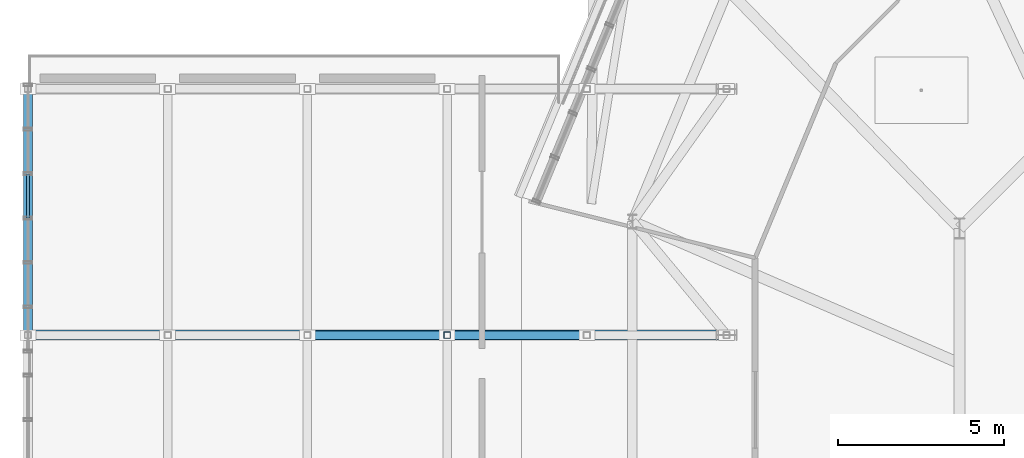
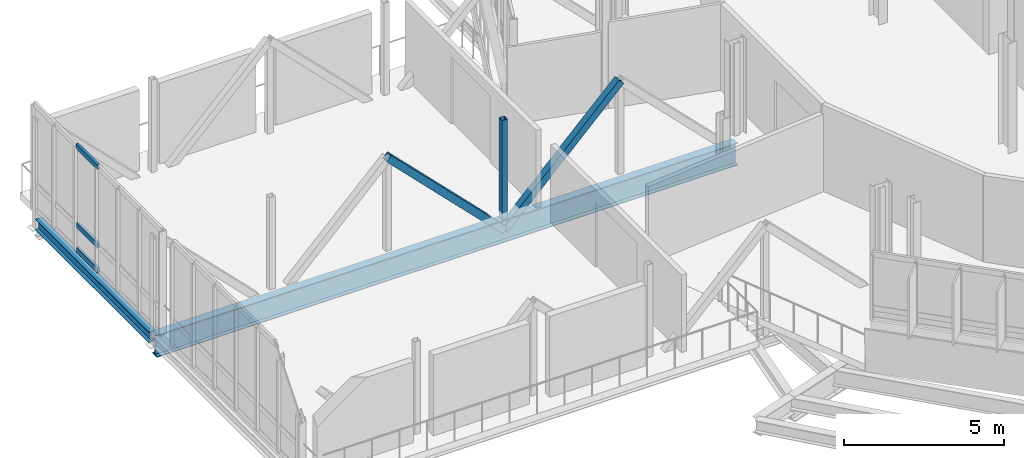
# One storey, part 40 of 107: 6 members, 2 beams, 1 element without a shape of its own.
"""IFC4 building model written with IfcOpenShell, lengths in metres."""

import ifcopenshell
import ifcopenshell.guid

model = None  # the IFC model being written
_history = None  # IfcOwnerHistory: only IFC2X3 demands one
_inside = {}  # id of a spatial element -> (the spatial element, [elements in it])
_under = {}  # id of a project, library or spatial element -> (it, [spatial elements below it])
_declared = {}  # id of a project -> (the project, [libraries it declares])
_typed = {}  # id of a type object -> (the type object, [elements of that type])
_made_of = {}  # id of a material, layer set ... -> (it, [elements and type objects made of it])


def new_model(schema):
    """Start an empty IFC model of exactly this schema.

    Asked for "IFC4X3", IfcOpenShell would pick the latest addendum, in which some entities
    have other attributes; the version numbers below select the first issue.
    IFC2X3 requires an IfcOwnerHistory on every rooted entity: one is made here for all.
    """
    global model, _history
    if schema == "IFC4X3":
        model = ifcopenshell.file(schema_version=(4, 3, 0, 0))
    else:
        model = ifcopenshell.file(schema=schema)
    _inside.clear()
    _under.clear()
    _declared.clear()
    _typed.clear()
    _made_of.clear()
    _history = None
    if model.schema == "IFC2X3":
        org = make("IfcOrganization", Name="unknown")
        user = make(
            "IfcPersonAndOrganization",
            ThePerson=make("IfcPerson", FamilyName="unknown"),
            TheOrganization=org,
        )
        app = make(
            "IfcApplication",
            ApplicationDeveloper=org,
            Version="unknown",
            ApplicationFullName="unknown",
            ApplicationIdentifier="unknown",
        )
        _history = make(
            "IfcOwnerHistory",
            OwningUser=user,
            OwningApplication=app,
            ChangeAction="ADDED",
            CreationDate=0,
        )
    return model


def make(cls, **values):
    """One entity of the class cls with the attributes given. An attribute that is None is left unset."""
    return model.create_entity(
        cls, **{name: value for name, value in values.items() if value is not None}
    )


def rooted(cls, **values):
    """An entity with a GlobalId (a new one), such as an element, a storey or a relation."""
    return make(cls, GlobalId=ifcopenshell.guid.new(), OwnerHistory=_history, **values)


def si_unit(unit_type, name, prefix=None):
    """IfcSIUnit, for example si_unit("LENGTHUNIT", "METRE", prefix="MILLI")."""
    return make("IfcSIUnit", UnitType=unit_type, Prefix=prefix, Name=name)


def derived_unit(unit_type, elements):
    """IfcDerivedUnit: a product of units, each with its exponent."""
    return make(
        "IfcDerivedUnit",
        Elements=[
            make("IfcDerivedUnitElement", Unit=unit, Exponent=power)
            for unit, power in elements
        ],
        UnitType=unit_type,
    )


def assignment(units):
    """IfcUnitAssignment: the units of a project."""
    return None if units is None else make("IfcUnitAssignment", Units=units)


def point(xyz):
    """IfcCartesianPoint."""
    return None if xyz is None else make("IfcCartesianPoint", Coordinates=xyz)


def direction(xyz):
    """IfcDirection."""
    return None if xyz is None else make("IfcDirection", DirectionRatios=xyz)


def frame(location, z_axis=None, x_axis=None):
    """IfcAxis2Placement3D, a coordinate frame: its origin and axes. An axis left out is left unset."""
    return make(
        "IfcAxis2Placement3D",
        Location=point(location),
        Axis=direction(z_axis),
        RefDirection=direction(x_axis),
    )


def frame_2d(location, x_axis=None):
    """IfcAxis2Placement2D, a coordinate frame in the plane: its origin and x axis."""
    return make(
        "IfcAxis2Placement2D", Location=point(location), RefDirection=direction(x_axis)
    )


def origin():
    """The frame at (0, 0, 0) with its axes left unset."""
    return frame((0.0, 0.0, 0.0))


def origin_2d():
    """The frame at (0, 0) in the plane with its x axis left unset."""
    return frame_2d((0.0, 0.0))


def place(relative_to, where):
    """IfcLocalPlacement: puts the frame where relative to a parent placement (None: the world)."""
    return make(
        "IfcLocalPlacement", PlacementRelTo=relative_to, RelativePlacement=where
    )


def context(
    kind, dimensions, precision=None, world=None, true_north=None, identifier=None
):
    """IfcGeometricRepresentationContext, for example the 3D "Model" context."""
    return make(
        "IfcGeometricRepresentationContext",
        ContextIdentifier=identifier,
        ContextType=kind,
        CoordinateSpaceDimension=dimensions,
        Precision=precision,
        WorldCoordinateSystem=world,
        TrueNorth=true_north,
    )


def subcontext(parent, identifier, kind, view, scale=None):
    """IfcGeometricRepresentationSubContext, for example "Body" below "Model"."""
    return make(
        "IfcGeometricRepresentationSubContext",
        ContextIdentifier=identifier,
        ContextType=kind,
        ParentContext=parent,
        TargetScale=scale,
        TargetView=view,
    )


def project(units=None, contexts=None):
    """IfcProject with its units and contexts."""
    return rooted(
        "IfcProject",
        Name="project",
        RepresentationContexts=contexts,
        UnitsInContext=assignment(units),
    )


def spatial(cls, under=None, at=None, **own):
    """A site, building, storey or space (cls), placed at a placement, below another one or the project."""
    s = rooted(cls, ObjectPlacement=at, **own)
    if under is not None:
        _under.setdefault(under.id(), (under, []))[1].append(s)
    return s


def profile(cls, at=None, kind="AREA", **sizes):
    """A parametric profile (cls). Its sizes go by their IFC names, for example OverallWidth=200.0."""
    return make(cls, ProfileType=kind, Position=at, **sizes)


def hollow_rectangle(**sizes):
    """IfcRectangleHollowProfileDef."""
    return profile("IfcRectangleHollowProfileDef", **sizes)


def i_section(**sizes):
    """IfcIShapeProfileDef."""
    return profile("IfcIShapeProfileDef", **sizes)


def extrude(swept, where, along, depth):
    """IfcExtrudedAreaSolid: the profile swept, set in the frame where, extruded along a direction by depth."""
    return make(
        "IfcExtrudedAreaSolid",
        SweptArea=swept,
        Position=where,
        ExtrudedDirection=direction(along),
        Depth=depth,
    )


def shape(context_of_items, identifier, shape_type, items):
    """IfcShapeRepresentation: the items that make up one representation, for example the "Body"."""
    return make(
        "IfcShapeRepresentation",
        ContextOfItems=context_of_items,
        RepresentationIdentifier=identifier,
        RepresentationType=shape_type,
        Items=items,
    )


def material(Name=None, Category=None):
    """IfcMaterial."""
    return make("IfcMaterial", Name=Name, Category=Category)


def layer(
    of_material, thickness, ventilated=None, Name=None, Category=None, Priority=None
):
    """IfcMaterialLayer: one layer of a wall or slab, of a material (None: an air gap)."""
    return make(
        "IfcMaterialLayer",
        Material=of_material,
        LayerThickness=thickness,
        IsVentilated=ventilated,
        Name=Name,
        Category=Category,
        Priority=Priority,
    )


def layer_set(layers, Name=None):
    """IfcMaterialLayerSet."""
    return make("IfcMaterialLayerSet", MaterialLayers=layers, LayerSetName=Name)


def material_profile(
    of_material, cross_section, Name=None, Category=None, Priority=None
):
    """IfcMaterialProfile: a cross section and its material."""
    return make(
        "IfcMaterialProfile",
        Name=Name,
        Material=of_material,
        Profile=cross_section,
        Priority=Priority,
        Category=Category,
    )


def profile_set(profiles, Name=None, composite=None):
    """IfcMaterialProfileSet."""
    return make(
        "IfcMaterialProfileSet",
        Name=Name,
        MaterialProfiles=profiles,
        CompositeProfile=composite,
    )


def made_of(thing, what):
    """Note that an element or type object is made of a material, layer set ...; save() writes the relation."""
    if what is not None:
        _made_of.setdefault(what.id(), (what, []))[1].append(thing)
    return thing


def type_object(cls, material=None, **own):
    """A type object (cls), such as IfcWallType, which elements share."""
    return made_of(rooted(cls, **own), material)


def element(
    cls,
    number,
    at=None,
    inside=None,
    cuts=None,
    type_object=None,
    material=None,
    context=None,
    identifier="Body",
    shape_type=None,
    held_by="IfcProductDefinitionShape",
    body=None,
    shapes=None,
    **own,
):
    """One element of the class cls, such as IfcWall. Its Tag is "e" and its number.

    at: its placement. inside: the storey or other place that contains it. cuts: it is an
    opening in that element (IfcRelVoidsElement). A single representation is given by context,
    identifier, shape_type and body (its items); several are given by shapes. held_by: the class
    of the entity that holds the representations. save() writes the other relations.
    """
    e = rooted(cls, Tag="e%d" % number, ObjectPlacement=at, **own)
    if body is not None:
        shapes = [shape(context, identifier, shape_type, body)]
    if shapes is not None:
        e.Representation = make(held_by, Representations=shapes)
    if inside is not None:
        _inside.setdefault(inside.id(), (inside, []))[1].append(e)
    if cuts is not None:
        rooted(
            "IfcRelVoidsElement", RelatingBuildingElement=cuts, RelatedOpeningElement=e
        )
    if type_object is not None:
        _typed.setdefault(type_object.id(), (type_object, []))[1].append(e)
    return made_of(e, material)


def aggregate(whole, parts):
    """IfcRelAggregates: a whole, such as a stair, and the parts it consists of."""
    return rooted("IfcRelAggregates", RelatingObject=whole, RelatedObjects=parts)


def save(model, path):
    """Write the relations noted so far, then the file.

    IfcRelAggregates (storeys below a building ...), IfcRelContainedInSpatialStructure (elements
    in a storey), IfcRelDefinesByType, IfcRelAssociatesMaterial and IfcRelDeclares: one each for
    every whole, place, type object, material and project.
    """
    for whole, parts in _under.values():
        aggregate(whole, parts)
    for where, things in _inside.values():
        rooted(
            "IfcRelContainedInSpatialStructure",
            RelatedElements=things,
            RelatingStructure=where,
        )
    for kind, things in _typed.values():
        rooted("IfcRelDefinesByType", RelatedObjects=things, RelatingType=kind)
    for what, things in _made_of.values():
        rooted("IfcRelAssociatesMaterial", RelatedObjects=things, RelatingMaterial=what)
    for by, libraries in _declared.values():
        rooted("IfcRelDeclares", RelatingContext=by, RelatedDefinitions=libraries)
    model.write(path)


model = new_model("IFC4")

# Units and contexts
model_context = context("Model", 3, precision=1e-05, world=origin(), true_north=direction((0.0, 1.0)))
body_context = subcontext(model_context, "Body", "Model", "MODEL_VIEW")
ifc_project = project(units=[si_unit("LENGTHUNIT", "METRE"), si_unit("AREAUNIT", "SQUARE_METRE"), si_unit("VOLUMEUNIT", "CUBIC_METRE"), si_unit("PLANEANGLEUNIT", "RADIAN"), si_unit("MASSUNIT", "GRAM", prefix="KILO"), derived_unit("THERMALTRANSMITTANCEUNIT", [(si_unit("MASSUNIT", "GRAM", prefix="KILO"), 1), (si_unit("TIMEUNIT", "SECOND"), -3), (si_unit("THERMODYNAMICTEMPERATUREUNIT", "KELVIN"), -1)])], contexts=[model_context])

# Site, building, storey
site_placement = place(None, origin())
site = spatial("IfcSite", under=ifc_project, at=site_placement, CompositionType="ELEMENT")
building_placement = place(site_placement, origin())
building = spatial("IfcBuilding", under=site, at=building_placement, Name="Makaiwela Harbour Ferry Terminal", CompositionType="ELEMENT")
storey_placement = place(building_placement, frame((0.0, 0.0, 9.60009765625)))
storey = spatial("IfcBuildingStorey", under=building, at=storey_placement, Name="L02", CompositionType="ELEMENT", Elevation=9.60009765625)

# Curtain wall, members
ifc_material_1 = material(Name="Marine anodised aluminium 6063-T6", Category="aluminium")
ifc_layer = layer(ifc_material_1, 0.199951171875)
ifc_layer_set = layer_set([ifc_layer], Name="Marine anodised aluminium 6063-T6")
curtain_wall_type = type_object("IfcCurtainWallType", Name="ENV-CW-23", PredefinedType="USERDEFINED", material=ifc_layer_set)
curtain_wall_placement = place(storey_placement, origin())
curtain_wall = element("IfcCurtainWall", 1, at=curtain_wall_placement, inside=storey, type_object=curtain_wall_type, Name="Unitised Curtain Wall CWA-139", ObjectType="UNITIZED CURTAIN WALL", PredefinedType="USERDEFINED")
ifc_material_profile_1 = material_profile(ifc_material_1, hollow_rectangle(XDim=0.0849609375, YDim=0.199951171875, WallThickness=0.0048828125, at=origin_2d()), Name="CWT-200X85")
ifc_profile_set_1 = profile_set([ifc_material_profile_1], Name="Marine anodised aluminium 6063-T6")
member_type_1 = type_object("IfcMemberType", Name="CW-TRN-200", PredefinedType="USERDEFINED", material=ifc_profile_set_1)
member_1_placement = place(storey_placement, frame((0.0, 71.965087890625, 0.0), z_axis=(0.0, 1.0, 0.0), x_axis=(-1.0, 0.0, 0.0)))
member_1 = element("IfcMember", 2, at=member_1_placement, type_object=member_type_1, Name="Curtain Wall Transom CWA-139-4-1", ObjectType="TRANSOM", PredefinedType="USERDEFINED", context=body_context, shape_type="SweptSolid", body=[
    extrude(hollow_rectangle(XDim=0.0849609375, YDim=0.199951171875, WallThickness=0.0048828125, at=origin_2d()), origin(), (0.0, 0.0, 1.0), 1.3349609375),
])
member_2_placement = place(storey_placement, frame((0.0, 71.965087890625, 0.949951171875), z_axis=(0.0, 1.0, 0.0), x_axis=(-1.0, 0.0, 0.0)))
member_2 = element("IfcMember", 3, at=member_2_placement, type_object=member_type_1, Name="Curtain Wall Transom CWA-139-4-2", ObjectType="TRANSOM", PredefinedType="USERDEFINED", context=body_context, shape_type="SweptSolid", body=[
    extrude(hollow_rectangle(XDim=0.0849609375, YDim=0.199951171875, WallThickness=0.0048828125, at=origin_2d()), origin(), (0.0, 0.0, 1.0), 1.3349609375),
])
member_3_placement = place(storey_placement, frame((0.0, 71.965087890625, 3.949951171875), z_axis=(0.0, 1.0, 0.0), x_axis=(-1.0, 0.0, 0.0)))
member_3 = element("IfcMember", 4, at=member_3_placement, type_object=member_type_1, Name="Curtain Wall Transom CWA-139-4-3", ObjectType="TRANSOM", PredefinedType="USERDEFINED", context=body_context, shape_type="SweptSolid", body=[
    extrude(hollow_rectangle(XDim=0.0849609375, YDim=0.199951171875, WallThickness=0.0048828125, at=origin_2d()), origin(), (0.0, 0.0, 1.0), 1.3349609375),
])
aggregate(curtain_wall, [member_1, member_2, member_3])

# Members
ifc_material_2 = material(Name="Steel ASTM A500 Grade C", Category="steel")
ifc_material_profile_2 = material_profile(ifc_material_2, hollow_rectangle(XDim=0.25390625, YDim=0.25390625, WallThickness=0.0146484375, at=origin_2d()), Name="HSS10X10X5/8")
ifc_profile_set_2 = profile_set([ifc_material_profile_2], Name="Steel ASTM A500 Grade C")
member_type_2 = type_object("IfcMemberType", Name="STR-BRC-HSS10", PredefinedType="BRACE", material=ifc_profile_set_2)
for number, where, z_axis, x_axis, name in (
    (5, (16.800048828125, 68.449951171875, 3.534423828125), (-0.705423542875, 0.0, -0.708786022124), (0.0, -1.0, 0.0), "Structural Member BR-01"),
    (6, (12.60009765625, 68.449951171875, -0.685546875), (-0.7054441424, 0.0, 0.708765519727), (0.0, -1.0, 0.0), "Structural Member BR-01"),
):
    element("IfcMember", number, at=place(storey_placement, frame(where, z_axis=z_axis, x_axis=x_axis)), inside=storey, type_object=member_type_2, Name=name, PredefinedType="BRACE", context=body_context, shape_type="SweptSolid", body=[
        extrude(hollow_rectangle(XDim=0.25390625, YDim=0.25390625, WallThickness=0.0146484375, at=origin_2d()), origin(), (0.0, 0.0, 1.0), 5.953857421875),
    ])

# Beams
ifc_material_3 = material(Name="Steel ASTM A992 Grade 50", Category="steel")
ifc_material_profile_3 = material_profile(ifc_material_3, i_section(OverallWidth=0.2939453125, OverallDepth=0.85107421875, WebThickness=0.01611328125, FlangeThickness=0.02685546875, at=origin_2d()), Name="W33X152")
ifc_profile_set_3 = profile_set([ifc_material_profile_3], Name="Steel ASTM A992 Grade 50")
beam_type_1 = type_object("IfcBeamType", Name="STR-GRD-W33X152", PredefinedType="USERDEFINED", material=ifc_profile_set_3)
beam_1_placement = place(storey_placement, frame((0.0, 68.449951171875, -0.685546875), z_axis=(1.0, 0.0, 0.0), x_axis=(0.0, 1.0, 0.0)))
element("IfcBeam", 7, at=beam_1_placement, inside=storey, type_object=beam_type_1, Name="West bridge truss middle chord 2", ObjectType="GIRDER", PredefinedType="USERDEFINED", context=body_context, shape_type="SweptSolid", body=[
    extrude(i_section(OverallWidth=0.2939453125, OverallDepth=0.85107421875, WebThickness=0.01611328125, FlangeThickness=0.02685546875, at=origin_2d()), origin(), (0.0, 0.0, 1.0), 21.0),
])
ifc_material_profile_4 = material_profile(ifc_material_3, i_section(OverallWidth=0.260986328125, OverallDepth=0.4189453125, WebThickness=0.01171875, FlangeThickness=0.019287109375, at=origin_2d()), Name="W16X77")
ifc_profile_set_4 = profile_set([ifc_material_profile_4], Name="Steel ASTM A992 Grade 50")
beam_type_2 = type_object("IfcBeamType", Name="STR-JST-W16X77", PredefinedType="JOIST", material=ifc_profile_set_4)
beam_2_placement = place(storey_placement, frame((0.0, 68.591064453125, -0.469482421875), z_axis=(0.0, 1.0, 0.0), x_axis=(-1.0, 0.0, 0.0)))
element("IfcBeam", 8, at=beam_2_placement, inside=storey, type_object=beam_type_2, Name="Structural Beam J-02", PredefinedType="JOIST", context=body_context, shape_type="SweptSolid", body=[
    extrude(i_section(OverallWidth=0.260986328125, OverallDepth=0.4189453125, WebThickness=0.01171875, FlangeThickness=0.019287109375, at=origin_2d()), origin(), (0.0, 0.0, 1.0), 7.117919921875),
])

# Member
ifc_material_profile_5 = material_profile(ifc_material_2, hollow_rectangle(XDim=0.202880859375, YDim=0.202880859375, WallThickness=0.01171875, at=origin_2d()), Name="HSS8X8X1/2")
ifc_profile_set_5 = profile_set([ifc_material_profile_5], Name="Steel ASTM A500 Grade C")
member_type_3 = type_object("IfcMemberType", Name="STR-PST-HSS8", PredefinedType="POST", material=ifc_profile_set_5)
member_4_placement = place(storey_placement, frame((12.60009765625, 68.449951171875, -0.685546875), z_axis=(0.0, 0.0, 1.0), x_axis=(1.0, 0.0, 0.0)))
element("IfcMember", 9, at=member_4_placement, inside=storey, type_object=member_type_3, Name="Structural Member PS-01", PredefinedType="POST", context=body_context, shape_type="SweptSolid", body=[
    extrude(hollow_rectangle(XDim=0.202880859375, YDim=0.202880859375, WallThickness=0.01171875, at=origin_2d()), origin(), (0.0, 0.0, 1.0), 4.219970703125),
])

save(model, "model.ifc")
